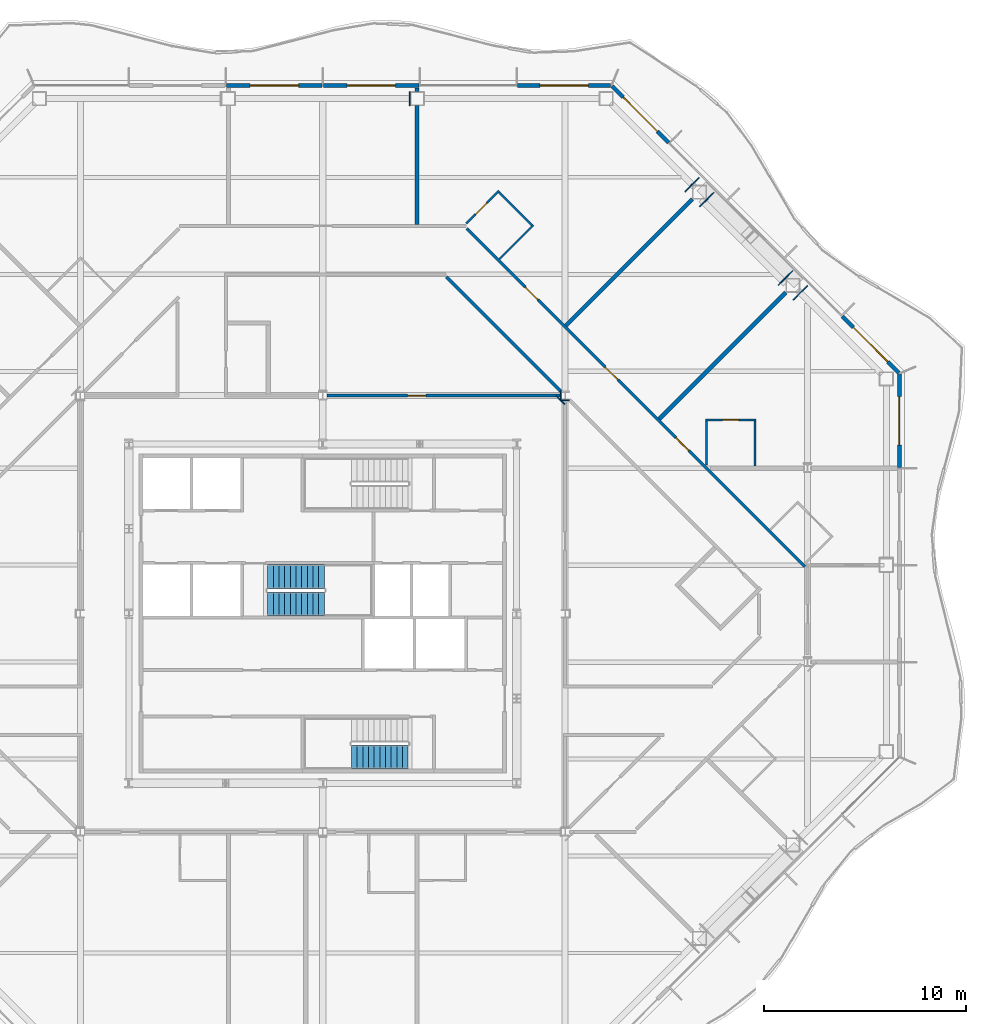
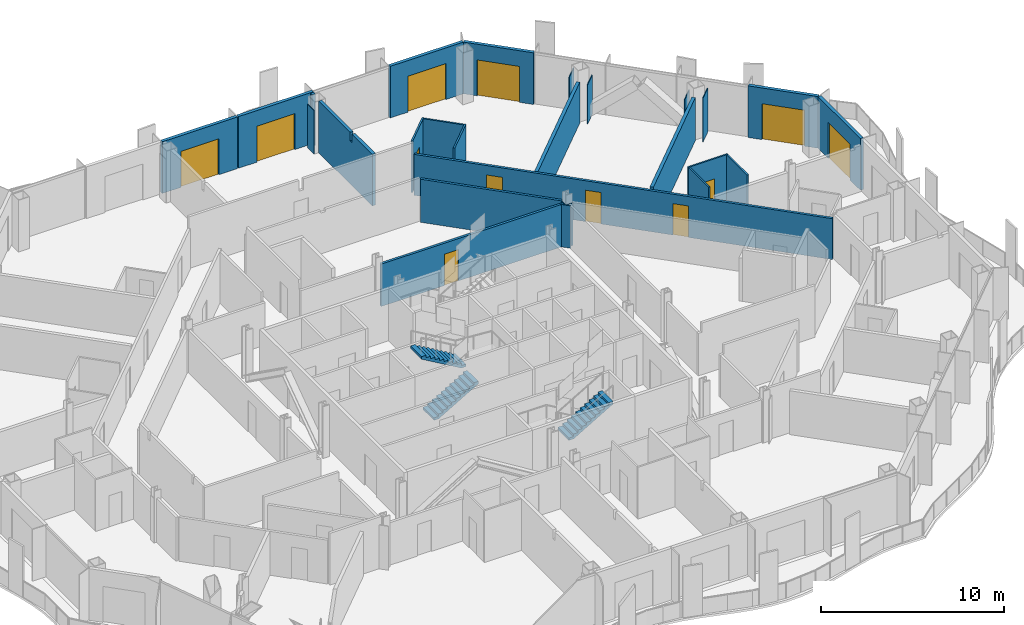
# One storey, part 13 of 21: 27 walls, 12 doors, 3 stair flights, 12 openings, 2 elements without a shape of their own.
"""IFC4 building model written with IfcOpenShell, lengths in metres."""

from ifc_helpers import new_model, si_unit, direction, frame, frame_2d, origin, place, context, subcontext, project, spatial, polyline, rectangle, outline, extrude, material, layer, layer_set, type_object, element, fill, aggregate, save


model = new_model("IFC4")

# Units and contexts
model_context = context("Model", 3, precision=1e-05, world=origin(), true_north=direction((0.0, 1.0)))
body_context = subcontext(model_context, "Body", "Model", "MODEL_VIEW")
ifc_project = project(units=[si_unit("LENGTHUNIT", "METRE"), si_unit("AREAUNIT", "SQUARE_METRE"), si_unit("VOLUMEUNIT", "CUBIC_METRE"), si_unit("PLANEANGLEUNIT", "RADIAN"), si_unit("MASSUNIT", "GRAM", prefix="KILO")], contexts=[model_context])

# Site, building, storey
site_placement = place(None, origin())
site = spatial("IfcSite", under=ifc_project, at=site_placement, CompositionType="ELEMENT")
building_placement = place(site_placement, origin())
building = spatial("IfcBuilding", under=site, at=building_placement, Name="Cairn Pilgrim Tower", CompositionType="ELEMENT")
storey_placement = place(building_placement, frame((0.0, 0.0, 132.60009765625)))
storey = spatial("IfcBuildingStorey", under=building, at=storey_placement, Name="L32", CompositionType="ELEMENT", Elevation=132.60009765625)

# Wall, opening, door
ifc_material_1 = material(Name="Bronze anodised aluminium insulated sandwich panel with mineral wool fill", Category="aluminium")
ifc_layer_1 = layer(ifc_material_1, 0.199951171875)
ifc_layer_set_1 = layer_set([ifc_layer_1], Name="BRONZE INFILL FRAME WALL 200")
wall_type_1 = type_object("IfcWallType", Name="BRONZE INFILL FRAME WALL 200", PredefinedType="NOTDEFINED", material=ifc_layer_set_1)
wall_1_placement = place(storey_placement, frame((35.75, 9.6298828125, 0.0), z_axis=(0.0, 0.0, 1.0), x_axis=(0.0, 1.0, 0.0)))
wall_1 = element("IfcWall", 1, at=wall_1_placement, inside=storey, type_object=wall_type_1, Name="Bronze infill frame wall IW-E4", PredefinedType="NOTDEFINED", context=body_context, shape_type="SweptSolid", body=[
    extrude(rectangle(XDim=4.62646484375, YDim=0.199951171875, at=frame_2d((2.313232421875, 0.0))), origin(), (0.0, 0.0, 1.0), 3.449951171875),
])
opening_1_placement = place(wall_1_placement, frame((1.117919921875, 0.0, 0.0)))
opening_1 = element("IfcOpeningElement", 2, at=opening_1_placement, cuts=wall_1, Name="Opening 3206B2", PredefinedType="OPENING", context=body_context, shape_type="SweptSolid", body=[
    extrude(rectangle(XDim=2.39990234375, YDim=2.39990234375, at=frame_2d((1.199951171875, 1.199951171875))), frame((0.0, 0.10986328125, 0.0), z_axis=(0.0, -1.0, 0.0), x_axis=(1.0, 0.0, 0.0)), (0.0, 0.0, 1.0), 0.219970703125),
])
ifc_material_2 = material(Name="Bronze anodised aluminium frame with tinted low-E glass", Category="aluminium")
door_type_1 = type_object("IfcDoorType", Name="BALCONY SLIDING DOOR 2400x2400", OperationType="DOUBLE_DOOR_SLIDING", PredefinedType="DOOR", material=ifc_material_2)
door_1_placement = place(opening_1_placement, origin())
door_1 = element("IfcDoor", 3, at=door_1_placement, inside=storey, type_object=door_type_1, Name="Balcony sliding door 3206B2", OperationType="SINGLE_SWING_LEFT", OverallHeight=2.39990234375, OverallWidth=2.39990234375, PredefinedType="DOOR", context=body_context, shape_type="SweptSolid", body=[
    extrude(rectangle(XDim=2.39990234375, YDim=2.39990234375, at=frame_2d((1.199951171875, 1.199951171875))), frame((0.0, 0.02490234375, 0.0), z_axis=(0.0, -1.0, 0.0), x_axis=(1.0, 0.0, 0.0)), (0.0, 0.0, 1.0), 0.050048828125),
])
fill(opening_1, door_1)

wall_2_placement = place(storey_placement, frame((35.7216796875, 14.32470703125, 0.0), z_axis=(0.0, 0.0, 1.0), x_axis=(-0.707106781187, 0.707106781187, 0.0)))
wall_2 = element("IfcWall", 4, at=wall_2_placement, inside=storey, type_object=wall_type_1, Name="Bronze infill frame wall IW-NE1", PredefinedType="NOTDEFINED", context=body_context, shape_type="SweptSolid", body=[
    extrude(rectangle(XDim=3.961669921875, YDim=0.199951171875, at=frame_2d((1.98095703125, 0.0))), origin(), (0.0, 0.0, 1.0), 3.449951171875),
])
opening_2_placement = place(wall_2_placement, frame((0.775390625, 0.0, 0.0)))
opening_2 = element("IfcOpeningElement", 5, at=opening_2_placement, cuts=wall_2, Name="Opening 3206B", PredefinedType="OPENING", context=body_context, shape_type="SweptSolid", body=[
    extrude(rectangle(XDim=2.39990234375, YDim=2.39990234375, at=frame_2d((1.199951171875, 1.199951171875))), frame((0.0, 0.10986328125, 0.0), z_axis=(0.0, -1.0, 0.0), x_axis=(1.0, 0.0, 0.0)), (0.0, 0.0, 1.0), 0.219970703125),
])
door_2_placement = place(opening_2_placement, origin())
door_2 = element("IfcDoor", 6, at=door_2_placement, inside=storey, type_object=door_type_1, Name="Balcony sliding door 3206B", OperationType="SINGLE_SWING_LEFT", OverallHeight=2.39990234375, OverallWidth=2.39990234375, PredefinedType="DOOR", context=body_context, shape_type="SweptSolid", body=[
    extrude(rectangle(XDim=2.39990234375, YDim=2.39990234375, at=frame_2d((1.199951171875, 1.199951171875))), frame((0.0, 0.02490234375, 0.0), z_axis=(0.0, -1.0, 0.0), x_axis=(1.0, 0.0, 0.0)), (0.0, 0.0, 1.0), 0.050048828125),
])
fill(opening_2, door_2)

wall_3_placement = place(storey_placement, frame((24.325927734375, 25.720458984375, 0.0), z_axis=(0.0, 0.0, 1.0), x_axis=(-0.707106781187, 0.707106781187, 0.0)))
wall_3 = element("IfcWall", 7, at=wall_3_placement, inside=storey, type_object=wall_type_1, Name="Bronze infill frame wall IW-NE5", PredefinedType="NOTDEFINED", context=body_context, shape_type="SweptSolid", body=[
    extrude(rectangle(XDim=3.961669921875, YDim=0.199951171875, at=frame_2d((1.98095703125, 0.0))), origin(), (0.0, 0.0, 1.0), 3.449951171875),
])
opening_3_placement = place(wall_3_placement, frame((0.78564453125, 0.0, 0.0)))
opening_3 = element("IfcOpeningElement", 8, at=opening_3_placement, cuts=wall_3, Name="Opening 3208B", PredefinedType="OPENING", context=body_context, shape_type="SweptSolid", body=[
    extrude(rectangle(XDim=2.39990234375, YDim=2.39990234375, at=frame_2d((1.199951171875, 1.199951171875))), frame((0.0, 0.10986328125, 0.0), z_axis=(0.0, -1.0, 0.0), x_axis=(1.0, 0.0, 0.0)), (0.0, 0.0, 1.0), 0.219970703125),
])
door_3_placement = place(opening_3_placement, origin())
door_3 = element("IfcDoor", 9, at=door_3_placement, inside=storey, type_object=door_type_1, Name="Balcony sliding door 3208B", OperationType="SINGLE_SWING_LEFT", OverallHeight=2.39990234375, OverallWidth=2.39990234375, PredefinedType="DOOR", context=body_context, shape_type="SweptSolid", body=[
    extrude(rectangle(XDim=2.39990234375, YDim=2.39990234375, at=frame_2d((1.199951171875, 1.199951171875))), frame((0.0, 0.02490234375, 0.0), z_axis=(0.0, -1.0, 0.0), x_axis=(1.0, 0.0, 0.0)), (0.0, 0.0, 1.0), 0.050048828125),
])
fill(opening_3, door_3)

wall_4_placement = place(storey_placement, frame((21.45654296875, 28.550048828125, 0.0), z_axis=(0.0, 0.0, 1.0), x_axis=(-1.0, 0.0, 0.0)))
wall_4 = element("IfcWall", 10, at=wall_4_placement, inside=storey, type_object=wall_type_1, Name="Bronze infill frame wall IW-N1", PredefinedType="NOTDEFINED", context=body_context, shape_type="SweptSolid", body=[
    extrude(rectangle(XDim=4.62646484375, YDim=0.199951171875, at=frame_2d((2.313232421875, 0.0))), origin(), (0.0, 0.0, 1.0), 3.449951171875),
])
opening_4_placement = place(wall_4_placement, frame((1.1083984375, 0.0, 0.0)))
opening_4 = element("IfcOpeningElement", 11, at=opening_4_placement, cuts=wall_4, Name="Opening 3208B2", PredefinedType="OPENING", context=body_context, shape_type="SweptSolid", body=[
    extrude(rectangle(XDim=2.39990234375, YDim=2.39990234375, at=frame_2d((1.199951171875, 1.199951171875))), frame((0.0, 0.10986328125, 0.0), z_axis=(0.0, -1.0, 0.0), x_axis=(1.0, 0.0, 0.0)), (0.0, 0.0, 1.0), 0.219970703125),
])
door_4_placement = place(opening_4_placement, origin())
door_4 = element("IfcDoor", 12, at=door_4_placement, inside=storey, type_object=door_type_1, Name="Balcony sliding door 3208B2", OperationType="SINGLE_SWING_LEFT", OverallHeight=2.39990234375, OverallWidth=2.39990234375, PredefinedType="DOOR", context=body_context, shape_type="SweptSolid", body=[
    extrude(rectangle(XDim=2.39990234375, YDim=2.39990234375, at=frame_2d((1.199951171875, 1.199951171875))), frame((0.0, 0.02490234375, 0.0), z_axis=(0.0, -1.0, 0.0), x_axis=(1.0, 0.0, 0.0)), (0.0, 0.0, 1.0), 0.050048828125),
])
fill(opening_4, door_4)

wall_5_placement = place(storey_placement, frame((11.969970703125, 28.550048828125, 0.0), z_axis=(0.0, 0.0, 1.0), x_axis=(-1.0, 0.0, 0.0)))
wall_5 = element("IfcWall", 13, at=wall_5_placement, inside=storey, type_object=wall_type_1, Name="Bronze infill frame wall IW-N3", PredefinedType="NOTDEFINED", context=body_context, shape_type="SweptSolid", body=[
    extrude(rectangle(XDim=4.739990234375, YDim=0.199951171875, at=frame_2d((2.3701171875, 0.0))), origin(), (0.0, 0.0, 1.0), 3.449951171875),
])
opening_5_placement = place(wall_5_placement, frame((1.17041015625, 0.0, 0.0)))
opening_5 = element("IfcOpeningElement", 14, at=opening_5_placement, cuts=wall_5, Name="Opening 3209B", PredefinedType="OPENING", context=body_context, shape_type="SweptSolid", body=[
    extrude(rectangle(XDim=2.39990234375, YDim=2.39990234375, at=frame_2d((1.199951171875, 1.199951171875))), frame((0.0, 0.10986328125, 0.0), z_axis=(0.0, -1.0, 0.0), x_axis=(1.0, 0.0, 0.0)), (0.0, 0.0, 1.0), 0.219970703125),
])
door_5_placement = place(opening_5_placement, origin())
door_5 = element("IfcDoor", 15, at=door_5_placement, inside=storey, type_object=door_type_1, Name="Balcony sliding door 3209B", OperationType="SINGLE_SWING_LEFT", OverallHeight=2.39990234375, OverallWidth=2.39990234375, PredefinedType="DOOR", context=body_context, shape_type="SweptSolid", body=[
    extrude(rectangle(XDim=2.39990234375, YDim=2.39990234375, at=frame_2d((1.199951171875, 1.199951171875))), frame((0.0, 0.02490234375, 0.0), z_axis=(0.0, -1.0, 0.0), x_axis=(1.0, 0.0, 0.0)), (0.0, 0.0, 1.0), 0.050048828125),
])
fill(opening_5, door_5)

wall_6_placement = place(storey_placement, frame((7.169921875, 28.550048828125, 0.0), z_axis=(0.0, 0.0, 1.0), x_axis=(-1.0, 0.0, 0.0)))
wall_6 = element("IfcWall", 16, at=wall_6_placement, inside=storey, type_object=wall_type_1, Name="Bronze infill frame wall IW-N4", PredefinedType="NOTDEFINED", context=body_context, shape_type="SweptSolid", body=[
    extrude(rectangle(XDim=4.739990234375, YDim=0.199951171875, at=frame_2d((2.3701171875, 0.0))), origin(), (0.0, 0.0, 1.0), 3.449951171875),
])
opening_6_placement = place(wall_6_placement, frame((1.17041015625, 0.0, 0.0)))
opening_6 = element("IfcOpeningElement", 17, at=opening_6_placement, cuts=wall_6, Name="Opening 3209B2", PredefinedType="OPENING", context=body_context, shape_type="SweptSolid", body=[
    extrude(rectangle(XDim=2.39990234375, YDim=2.39990234375, at=frame_2d((1.199951171875, 1.199951171875))), frame((0.0, 0.10986328125, 0.0), z_axis=(0.0, -1.0, 0.0), x_axis=(1.0, 0.0, 0.0)), (0.0, 0.0, 1.0), 0.219970703125),
])
door_6_placement = place(opening_6_placement, origin())
door_6 = element("IfcDoor", 18, at=door_6_placement, inside=storey, type_object=door_type_1, Name="Balcony sliding door 3209B2", OperationType="SINGLE_SWING_LEFT", OverallHeight=2.39990234375, OverallWidth=2.39990234375, PredefinedType="DOOR", context=body_context, shape_type="SweptSolid", body=[
    extrude(rectangle(XDim=2.39990234375, YDim=2.39990234375, at=frame_2d((1.199951171875, 1.199951171875))), frame((0.0, 0.02490234375, 0.0), z_axis=(0.0, -1.0, 0.0), x_axis=(1.0, 0.0, 0.0)), (0.0, 0.0, 1.0), 0.050048828125),
])
fill(opening_6, door_6)

# Walls
ifc_material_3 = material(Name="Gypsum partition")
ifc_layer_2 = layer(ifc_material_3, 0.10009765625)
ifc_layer_set_2 = layer_set([ifc_layer_2], Name="PARTITION 100 DRYWALL")
wall_type_2 = type_object("IfcWallType", Name="PARTITION 100 DRYWALL", PredefinedType="PARTITIONING", material=ifc_layer_set_2)
wall_7_placement = place(storey_placement, frame((28.593994140625, 9.699951171875, 0.0), z_axis=(0.0, 0.0, 1.0), x_axis=(0.0, 1.0, 0.0)))
element("IfcWall", 19, at=wall_7_placement, inside=storey, type_object=wall_type_2, Name="PARTITION W067", PredefinedType="PARTITIONING", context=body_context, shape_type="SweptSolid", body=[
    extrude(outline(polyline([(0.0, 0.0), (2.25, 0.0), (2.25, 3.449951171875), (0.0048828125, 3.449951171875), (0.0029296875, 2.8798828125), (0.0, 2.8798828125), (0.0, 0.0)])), frame((0.0, 0.050048828125, 0.0), z_axis=(0.0, -1.0, 0.0), x_axis=(1.0, 0.0, 0.0)), (0.0, 0.0, 1.0), 0.10009765625),
])
wall_8_placement = place(storey_placement, frame((26.194091796875, 9.756103515625, 0.0), z_axis=(0.0, 0.0, 1.0), x_axis=(0.0, 1.0, 0.0)))
element("IfcWall", 20, at=wall_8_placement, inside=storey, type_object=wall_type_2, Name="PARTITION W068", PredefinedType="PARTITIONING", context=body_context, shape_type="SweptSolid", body=[
    extrude(rectangle(XDim=2.19384765625, YDim=0.10009765625, at=frame_2d((1.096923828125, 0.0))), origin(), (0.0, 0.0, 1.0), 3.449951171875),
])

# Wall, opening, door
wall_9_placement = place(storey_placement, frame((26.14404296875, 12.0, 0.0), z_axis=(0.0, 0.0, 1.0), x_axis=(1.0, 0.0, 0.0)))
wall_9 = element("IfcWall", 21, at=wall_9_placement, inside=storey, type_object=wall_type_2, Name="PARTITION W072", PredefinedType="PARTITIONING", context=body_context, shape_type="SweptSolid", body=[
    extrude(rectangle(XDim=2.5, YDim=0.10009765625, at=frame_2d((1.25, 0.0))), origin(), (0.0, 0.0, 1.0), 3.449951171875),
])
opening_7_placement = place(wall_9_placement, frame((0.85009765625, 0.0, 0.0)))
opening_7 = element("IfcOpeningElement", 22, at=opening_7_placement, cuts=wall_9, Name="Opening 3206A", PredefinedType="OPENING", context=body_context, shape_type="SweptSolid", body=[
    extrude(rectangle(XDim=0.800048828125, YDim=2.10009765625, at=frame_2d((0.39990234375, 1.050048828125))), frame((0.0, 0.06005859375, 0.0), z_axis=(0.0, -1.0, 0.0), x_axis=(1.0, 0.0, 0.0)), (0.0, 0.0, 1.0), 0.1201171875),
])
ifc_material_4 = material(Name="Timber door leaf", Category="wood")
door_type_2 = type_object("IfcDoorType", Name="WC DOOR 800x2100", OperationType="NOTDEFINED", PredefinedType="DOOR", material=ifc_material_4)
door_7_placement = place(opening_7_placement, origin())
door_7 = element("IfcDoor", 23, at=door_7_placement, inside=storey, type_object=door_type_2, Name="DOOR 3206A", OperationType="SINGLE_SWING_LEFT", OverallHeight=2.10009765625, OverallWidth=0.800048828125, PredefinedType="DOOR", context=body_context, shape_type="SweptSolid", body=[
    extrude(rectangle(XDim=0.800048828125, YDim=2.10009765625, at=frame_2d((0.39990234375, 1.050048828125))), frame((0.0, 0.02490234375, 0.0), z_axis=(0.0, -1.0, 0.0), x_axis=(1.0, 0.0, 0.0)), (0.0, 0.0, 1.0), 0.050048828125),
])
fill(opening_7, door_7)

# Walls
wall_10_placement = place(storey_placement, frame((15.944091796875, 19.9560546875, 0.0), z_axis=(0.0, 0.0, 1.0), x_axis=(0.707106781187, 0.707106781187, 0.0)))
element("IfcWall", 24, at=wall_10_placement, inside=storey, type_object=wall_type_2, Name="PARTITION W089", PredefinedType="PARTITIONING", context=body_context, shape_type="SweptSolid", body=[
    extrude(rectangle(XDim=2.374755859375, YDim=0.10009765625, at=frame_2d((1.1875, 0.0))), origin(), (0.0, 0.0, 1.0), 3.449951171875),
])
wall_11_placement = place(storey_placement, frame((17.552490234375, 21.635498046875, 0.0), z_axis=(0.0, 0.0, 1.0), x_axis=(-0.707053697085, 0.707159861304, 0.0)))
element("IfcWall", 25, at=wall_11_placement, inside=storey, type_object=wall_type_2, Name="PARTITION W091", PredefinedType="PARTITIONING", context=body_context, shape_type="SweptSolid", body=[
    extrude(rectangle(XDim=2.299560546875, YDim=0.10009765625, at=frame_2d((1.14990234375, 0.0))), origin(), (0.0, 0.0, 1.0), 3.449951171875),
])

# Wall, opening, door
wall_12_placement = place(storey_placement, frame((14.304443359375, 21.71044921875, 0.0), z_axis=(0.0, 0.0, 1.0), x_axis=(0.707106781187, 0.707106781187, 0.0)))
wall_12 = element("IfcWall", 26, at=wall_12_placement, inside=storey, type_object=wall_type_2, Name="PARTITION W094", PredefinedType="PARTITIONING", context=body_context, shape_type="SweptSolid", body=[
    extrude(rectangle(XDim=2.2939453125, YDim=0.10009765625, at=frame_2d((1.14697265625, 0.0))), origin(), (0.0, 0.0, 1.0), 3.449951171875),
])
opening_8_placement = place(wall_12_placement, frame((0.643798828125, 0.0, 0.0)))
opening_8 = element("IfcOpeningElement", 27, at=opening_8_placement, cuts=wall_12, Name="Opening 3208A", PredefinedType="OPENING", context=body_context, shape_type="SweptSolid", body=[
    extrude(rectangle(XDim=0.800048828125, YDim=2.10009765625, at=frame_2d((0.39990234375, 1.050048828125))), frame((0.0, 0.06005859375, 0.0), z_axis=(0.0, -1.0, 0.0), x_axis=(1.0, 0.0, 0.0)), (0.0, 0.0, 1.0), 0.1201171875),
])
door_8_placement = place(opening_8_placement, origin())
door_8 = element("IfcDoor", 28, at=door_8_placement, inside=storey, type_object=door_type_2, Name="DOOR 3208A", OperationType="SINGLE_SWING_LEFT", OverallHeight=2.10009765625, OverallWidth=0.800048828125, PredefinedType="DOOR", context=body_context, shape_type="SweptSolid", body=[
    extrude(rectangle(XDim=0.800048828125, YDim=2.10009765625, at=frame_2d((0.39990234375, 1.050048828125))), frame((0.0, 0.02490234375, 0.0), z_axis=(0.0, -1.0, 0.0), x_axis=(1.0, 0.0, 0.0)), (0.0, 0.0, 1.0), 0.050048828125),
])
fill(opening_8, door_8)

# Wall, openings, doors
ifc_layer_3 = layer(ifc_material_3, 0.14990234375)
ifc_layer_set_3 = layer_set([ifc_layer_3], Name="PARTITION 150 DRYWALL EI 60")
wall_type_3 = type_object("IfcWallType", Name="PARTITION 150 DRYWALL EI 60", PredefinedType="PARTITIONING", material=ifc_layer_set_3)
wall_13_placement = place(storey_placement, frame((31.072021484375, 4.721923828125, 0.0), z_axis=(0.0, 0.0, 1.0), x_axis=(-0.707106781187, 0.707106781187, 0.0)))
wall_13 = element("IfcWall", 29, at=wall_13_placement, inside=storey, type_object=wall_type_3, Name="PARTITION W050", PredefinedType="PARTITIONING", context=body_context, shape_type="SweptSolid", body=[
    extrude(rectangle(XDim=23.68798828125, YDim=0.14990234375, at=frame_2d((11.843994140625, 0.0))), origin(), (0.0, 0.0, 1.0), 2.72998046875),
])
opening_9_placement = place(wall_13_placement, frame((8.135498046875, 0.0, 0.0)))
opening_9 = element("IfcOpeningElement", 30, at=opening_9_placement, cuts=wall_13, Name="Opening 3206", PredefinedType="OPENING", context=body_context, shape_type="SweptSolid", body=[
    extrude(rectangle(XDim=0.89990234375, YDim=2.10009765625, at=frame_2d((0.449951171875, 1.050048828125))), frame((0.0, 0.0849609375, 0.0), z_axis=(0.0, -1.0, 0.0), x_axis=(1.0, 0.0, 0.0)), (0.0, 0.0, 1.0), 0.169921875),
])
opening_10_placement = place(wall_13_placement, frame((13.0908203125, 0.0, 0.0)))
opening_10 = element("IfcOpeningElement", 31, at=opening_10_placement, cuts=wall_13, Name="Opening 3207", PredefinedType="OPENING", context=body_context, shape_type="SweptSolid", body=[
    extrude(rectangle(XDim=0.89990234375, YDim=2.10009765625, at=frame_2d((0.449951171875, 1.050048828125))), frame((0.0, 0.0849609375, 0.0), z_axis=(0.0, -1.0, 0.0), x_axis=(1.0, 0.0, 0.0)), (0.0, 0.0, 1.0), 0.169921875),
])
opening_11_placement = place(wall_13_placement, frame((18.690185546875, 0.0, 0.0)))
opening_11 = element("IfcOpeningElement", 32, at=opening_11_placement, cuts=wall_13, Name="Opening 3208", PredefinedType="OPENING", context=body_context, shape_type="SweptSolid", body=[
    extrude(rectangle(XDim=0.89990234375, YDim=2.10009765625, at=frame_2d((0.449951171875, 1.050048828125))), frame((0.0, 0.0849609375, 0.0), z_axis=(0.0, -1.0, 0.0), x_axis=(1.0, 0.0, 0.0)), (0.0, 0.0, 1.0), 0.169921875),
])
door_type_3 = type_object("IfcDoorType", Name="ROOM DOOR 900x2100 FD30S", OperationType="NOTDEFINED", PredefinedType="DOOR", material=ifc_material_4)
door_9_placement = place(opening_9_placement, frame((0.89990234375, 0.0, 0.0), z_axis=(0.0, 0.0, 1.0), x_axis=(-1.0, 0.0, 0.0)))
door_9 = element("IfcDoor", 33, at=door_9_placement, inside=storey, type_object=door_type_3, Name="DOOR 3206", OperationType="SINGLE_SWING_LEFT", OverallHeight=2.10009765625, OverallWidth=0.89990234375, PredefinedType="DOOR", context=body_context, shape_type="SweptSolid", body=[
    extrude(rectangle(XDim=0.89990234375, YDim=2.10009765625, at=frame_2d((0.449951171875, 1.050048828125))), frame((0.0, 0.02490234375, 0.0), z_axis=(0.0, -1.0, 0.0), x_axis=(1.0, 0.0, 0.0)), (0.0, 0.0, 1.0), 0.050048828125),
])
fill(opening_9, door_9)
door_10_placement = place(opening_11_placement, frame((0.89990234375, 0.0, 0.0), z_axis=(0.0, 0.0, 1.0), x_axis=(-1.0, 0.0, 0.0)))
door_10 = element("IfcDoor", 34, at=door_10_placement, inside=storey, type_object=door_type_3, Name="DOOR 3208", OperationType="SINGLE_SWING_LEFT", OverallHeight=2.10009765625, OverallWidth=0.89990234375, PredefinedType="DOOR", context=body_context, shape_type="SweptSolid", body=[
    extrude(rectangle(XDim=0.89990234375, YDim=2.10009765625, at=frame_2d((0.449951171875, 1.050048828125))), frame((0.0, 0.02490234375, 0.0), z_axis=(0.0, -1.0, 0.0), x_axis=(1.0, 0.0, 0.0)), (0.0, 0.0, 1.0), 0.050048828125),
])
fill(opening_11, door_10)
door_type_4 = type_object("IfcDoorType", Name="SERVICE DOOR 900x2100 FD30S", OperationType="NOTDEFINED", PredefinedType="DOOR", material=ifc_material_4)
door_11_placement = place(opening_10_placement, frame((0.89990234375, 0.0, 0.0), z_axis=(0.0, 0.0, 1.0), x_axis=(-1.0, 0.0, 0.0)))
door_11 = element("IfcDoor", 35, at=door_11_placement, inside=storey, type_object=door_type_4, Name="DOOR 3207", OperationType="SINGLE_SWING_LEFT", OverallHeight=2.10009765625, OverallWidth=0.89990234375, PredefinedType="DOOR", context=body_context, shape_type="SweptSolid", body=[
    extrude(rectangle(XDim=0.89990234375, YDim=2.10009765625, at=frame_2d((0.449951171875, 1.050048828125))), frame((0.0, 0.02490234375, 0.0), z_axis=(0.0, -1.0, 0.0), x_axis=(1.0, 0.0, 0.0)), (0.0, 0.0, 1.0), 0.050048828125),
])
fill(opening_10, door_11)

# Wall, opening, door
wall_14_placement = place(storey_placement, frame((7.404541015625, 13.199951171875, 0.0), z_axis=(0.0, 0.0, 1.0), x_axis=(1.0, 0.0, 0.0)))
wall_14 = element("IfcWall", 36, at=wall_14_placement, inside=storey, type_object=wall_type_3, Name="PARTITION W076", PredefinedType="PARTITIONING", context=body_context, shape_type="SweptSolid", body=[
    extrude(rectangle(XDim=11.591064453125, YDim=0.14990234375, at=frame_2d((5.79541015625, 0.0))), origin(), (0.0, 0.0, 1.0), 2.829833984375),
])
opening_12_placement = place(wall_14_placement, frame((3.99560546875, 0.0, 0.0)))
opening_12 = element("IfcOpeningElement", 37, at=opening_12_placement, cuts=wall_14, Name="Opening 3222", PredefinedType="OPENING", context=body_context, shape_type="SweptSolid", body=[
    extrude(rectangle(XDim=0.89990234375, YDim=2.10009765625, at=frame_2d((0.449951171875, 1.050048828125))), frame((0.0, 0.0849609375, 0.0), z_axis=(0.0, -1.0, 0.0), x_axis=(1.0, 0.0, 0.0)), (0.0, 0.0, 1.0), 0.169921875),
])
door_12_placement = place(opening_12_placement, origin())
door_12 = element("IfcDoor", 38, at=door_12_placement, inside=storey, type_object=door_type_4, Name="DOOR 3222", OperationType="SINGLE_SWING_LEFT", OverallHeight=2.10009765625, OverallWidth=0.89990234375, PredefinedType="DOOR", context=body_context, shape_type="SweptSolid", body=[
    extrude(rectangle(XDim=0.89990234375, YDim=2.10009765625, at=frame_2d((0.449951171875, 1.050048828125))), frame((0.0, 0.02490234375, 0.0), z_axis=(0.0, -1.0, 0.0), x_axis=(1.0, 0.0, 0.0)), (0.0, 0.0, 1.0), 0.050048828125),
])
fill(opening_12, door_12)

# Walls
wall_15_placement = place(storey_placement, frame((18.991455078125, 13.408447265625, 0.0), z_axis=(0.0, 0.0, 1.0), x_axis=(-0.707106781187, 0.707106781187, 0.0)))
element("IfcWall", 39, at=wall_15_placement, inside=storey, type_object=wall_type_3, Name="PARTITION W081", PredefinedType="PARTITIONING", context=body_context, shape_type="SweptSolid", body=[
    extrude(rectangle(XDim=8.009521484375, YDim=0.14990234375, at=frame_2d((4.0048828125, 0.0))), origin(), (0.0, 0.0, 1.0), 2.8798828125),
])
ifc_layer_4 = layer(ifc_material_3, 0.050048828125)
ifc_layer_set_4 = layer_set([ifc_layer_4], Name="PARTITION 50 DRYWALL EI 60")
wall_type_4 = type_object("IfcWallType", Name="PARTITION 50 DRYWALL EI 60", PredefinedType="PARTITIONING", material=ifc_layer_set_4)
wall_16_placement = place(storey_placement, frame((18.970458984375, 12.987548828125, 0.0), z_axis=(0.0, 0.0, 1.0), x_axis=(0.0, 1.0, 0.0)))
element("IfcWall", 40, at=wall_16_placement, inside=storey, type_object=wall_type_4, Name="COLUMN CASING WC22", PredefinedType="PARTITIONING", context=body_context, shape_type="SweptSolid", body=[
    extrude(rectangle(XDim=0.425048828125, YDim=0.050048828125, at=frame_2d((0.21240234375, 0.0))), origin(), (0.0, 0.0, 1.0), 2.829833984375),
])
wall_17_placement = place(storey_placement, frame((19.182373046875, 12.765380859375, 0.0), z_axis=(0.0, 0.0, 1.0), x_axis=(-0.707106781187, 0.707106781187, 0.0)))
element("IfcWall", 41, at=wall_17_placement, inside=storey, type_object=wall_type_4, Name="COLUMN CASING WC24", PredefinedType="PARTITIONING", context=body_context, shape_type="SweptSolid", body=[
    extrude(rectangle(XDim=0.589599609375, YDim=0.050048828125, at=frame_2d((0.294921875, 0.0))), origin(), (0.0, 0.0, 1.0), 2.829833984375),
])
wall_18_placement = place(storey_placement, frame((29.758056640625, 18.669189453125, 0.0), z_axis=(0.0, 0.0, 1.0), x_axis=(0.707106781187, 0.707106781187, 0.0)))
element("IfcWall", 42, at=wall_18_placement, inside=storey, type_object=wall_type_4, Name="COLUMN CASING WC30", PredefinedType="PARTITIONING", context=body_context, shape_type="SweptSolid", body=[
    extrude(rectangle(XDim=0.989990234375, YDim=0.050048828125, at=frame_2d((0.4951171875, 0.0))), origin(), (0.0, 0.0, 1.0), 2.6298828125),
])
wall_19_placement = place(storey_placement, frame((30.493408203125, 17.933837890625, 0.0), z_axis=(0.0, 0.0, 1.0), x_axis=(0.707106781187, 0.707106781187, 0.0)))
element("IfcWall", 43, at=wall_19_placement, inside=storey, type_object=wall_type_4, Name="COLUMN CASING WC31", PredefinedType="PARTITIONING", context=body_context, shape_type="SweptSolid", body=[
    extrude(rectangle(XDim=0.989990234375, YDim=0.050048828125, at=frame_2d((0.4951171875, 0.0))), origin(), (0.0, 0.0, 1.0), 2.929931640625),
])
wall_20_placement = place(storey_placement, frame((18.99560546875, 12.96240234375, 0.0), z_axis=(0.0, 0.0, 1.0), x_axis=(1.0, 0.0, 0.0)))
element("IfcWall", 44, at=wall_20_placement, inside=storey, type_object=wall_type_4, Name="COLUMN CASING WC35", PredefinedType="PARTITIONING", context=body_context, shape_type="SweptSolid", body=[
    extrude(rectangle(XDim=0.408935546875, YDim=0.050048828125, at=frame_2d((0.20458984375, 0.0))), origin(), (0.0, 0.0, 1.0), 2.829833984375),
])
wall_21_placement = place(storey_placement, frame((25.1337890625, 23.29345703125, 0.0), z_axis=(0.0, 0.0, 1.0), x_axis=(0.707106781187, 0.707106781187, 0.0)))
element("IfcWall", 45, at=wall_21_placement, inside=storey, type_object=wall_type_4, Name="COLUMN CASING WC38", PredefinedType="PARTITIONING", context=body_context, shape_type="SweptSolid", body=[
    extrude(rectangle(XDim=0.989990234375, YDim=0.050048828125, at=frame_2d((0.4951171875, 0.0))), origin(), (0.0, 0.0, 1.0), 2.929931640625),
])
wall_22_placement = place(storey_placement, frame((25.869140625, 22.55810546875, 0.0), z_axis=(0.0, 0.0, 1.0), x_axis=(0.707106781187, 0.707106781187, 0.0)))
element("IfcWall", 46, at=wall_22_placement, inside=storey, type_object=wall_type_4, Name="COLUMN CASING WC39", PredefinedType="PARTITIONING", context=body_context, shape_type="SweptSolid", body=[
    extrude(rectangle(XDim=0.989990234375, YDim=0.050048828125, at=frame_2d((0.4951171875, 0.0))), origin(), (0.0, 0.0, 1.0), 2.6298828125),
])
wall_23_placement = place(storey_placement, frame((11.500732421875, 27.550048828125, 0.0), z_axis=(0.0, 0.0, 1.0), x_axis=(0.0, 1.0, 0.0)))
element("IfcWall", 47, at=wall_23_placement, inside=storey, type_object=wall_type_4, Name="COLUMN CASING WC41", PredefinedType="PARTITIONING", context=body_context, shape_type="SweptSolid", body=[
    extrude(rectangle(XDim=0.699951171875, YDim=0.050048828125, at=frame_2d((0.35009765625, 0.0))), origin(), (0.0, 0.0, 1.0), 2.929931640625),
])
ifc_layer_5 = layer(ifc_material_3, 0.199951171875)
ifc_layer_set_5 = layer_set([ifc_layer_5], Name="SHAFT WALL 200 GYPSUM EI 60")
wall_type_5 = type_object("IfcWallType", Name="SHAFT WALL 200 GYPSUM EI 60", PredefinedType="PARTITIONING", material=ifc_layer_set_5)
wall_24_placement = place(storey_placement, frame((23.862060546875, 12.0380859375, 0.0), z_axis=(0.0, 0.0, 1.0), x_axis=(0.707106781187, 0.707106781187, 0.0)))
element("IfcWall", 48, at=wall_24_placement, inside=storey, type_object=wall_type_5, Name="PARTITION W071", PredefinedType="PARTITIONING", context=body_context, shape_type="SweptSolid", body=[
    extrude(rectangle(XDim=8.85791015625, YDim=0.199951171875, at=frame_2d((4.428955078125, 0.0))), origin(), (0.0, 0.0, 1.0), 2.8798828125),
])
wall_25_placement = place(storey_placement, frame((19.238037109375, 16.662109375, 0.0), z_axis=(0.0, 0.0, 1.0), x_axis=(0.707120561855, 0.707093000249, 0.0)))
element("IfcWall", 49, at=wall_25_placement, inside=storey, type_object=wall_type_5, Name="PARTITION W083", PredefinedType="PARTITIONING", context=body_context, shape_type="SweptSolid", body=[
    extrude(rectangle(XDim=8.85791015625, YDim=0.199951171875, at=frame_2d((4.428955078125, 0.0))), origin(), (0.0, 0.0, 1.0), 2.72998046875),
])
wall_26_placement = place(storey_placement, frame((11.8759765625, 21.675048828125, 0.0), z_axis=(0.0, 0.0, 1.0), x_axis=(0.0, 1.0, 0.0)))
element("IfcWall", 50, at=wall_26_placement, inside=storey, type_object=wall_type_5, Name="PARTITION W093", PredefinedType="PARTITIONING", context=body_context, shape_type="SweptSolid", body=[
    extrude(outline(polyline([(0.0, 0.0), (5.875, 0.0), (5.875, 3.449951171875), (2.429931640625, 3.449951171875), (2.427978515625, 2.8798828125), (2.219970703125, 2.8798828125), (2.218017578125, 3.449951171875), (0.0, 3.449951171875), (0.0, 0.0)])), frame((0.0, 0.10009765625, 0.0), z_axis=(0.0, -1.0, 0.0), x_axis=(1.0, 0.0, 0.0)), (0.0, 0.0, 1.0), 0.199951171875),
])
wall_27_placement = place(storey_placement, frame((11.8759765625, 28.25, 0.0), z_axis=(0.0, 0.0, 1.0), x_axis=(0.0, 1.0, 0.0)))
element("IfcWall", 51, at=wall_27_placement, inside=storey, type_object=wall_type_5, Name="PARTITION W096", PredefinedType="PARTITIONING", context=body_context, shape_type="SweptSolid", body=[
    extrude(rectangle(XDim=0.169921875, YDim=0.199951171875, at=frame_2d((0.0849609375, 0.0))), origin(), (0.0, 0.0, 1.0), 3.449951171875),
])

# Stair, stair flight
ifc_material_5 = material(Name="Concrete C32/40", Category="concrete")
stair_type = type_object("IfcStairType", Name="EXIT STAIR 1200", PredefinedType="HALF_TURN_STAIR", material=ifc_material_5)
stair_1_placement = place(storey_placement, origin())
stair_1 = element("IfcStair", 52, at=stair_1_placement, inside=storey, type_object=stair_type, Name="L32 Exit Stair A", PredefinedType="HALF_TURN_STAIR")
stair_flight_type = type_object("IfcStairFlightType", Name="STAIR FLIGHT 1200", PredefinedType="STRAIGHT", material=ifc_material_5)
stair_flight_1_placement = place(storey_placement, frame((8.625, -4.699951171875, 1.7998046875), z_axis=(0.0, 0.0, 1.0), x_axis=(1.0, 0.0, 0.0)))
stair_flight_1 = element("IfcStairFlight", 53, at=stair_flight_1_placement, type_object=stair_flight_type, Name="ST-A flight 2", NumberOfRisers=11, NumberOfTreads=10, PredefinedType="STRAIGHT", RiserHeight=0.163636364, TreadLength=0.28, context=body_context, shape_type="SweptSolid", body=[
    extrude(outline(polyline([(0.0, 0.0), (0.0, 0.16357421875), (0.280029296875, 0.16357421875), (0.280029296875, 0.327392578125), (0.56005859375, 0.327392578125), (0.56005859375, 0.490966796875), (0.840087890625, 0.490966796875), (0.840087890625, 0.654541015625), (1.1201171875, 0.654541015625), (1.1201171875, 0.818115234375), (1.39990234375, 0.818115234375), (1.39990234375, 0.98193359375), (1.679931640625, 0.98193359375), (1.679931640625, 1.1455078125), (1.9599609375, 1.1455078125), (1.9599609375, 1.30908203125), (2.239990234375, 1.30908203125), (2.239990234375, 1.47265625), (2.52001953125, 1.47265625), (2.52001953125, 1.636474609375), (2.800048828125, 1.636474609375), (2.800048828125, 1.800048828125), (2.800048828125, 1.462646484375), (0.297119140625, 0.0), (0.0, 0.0)])), frame((0.0, 0.60009765625, 0.0), z_axis=(0.0, -1.0, 0.0), x_axis=(1.0, 0.0, 0.0)), (0.0, 0.0, 1.0), 1.199951171875),
])
aggregate(stair_1, [stair_flight_1])

# Stair, stair flights
stair_2_placement = place(storey_placement, origin())
stair_2 = element("IfcStair", 54, at=stair_2_placement, inside=storey, type_object=stair_type, Name="L32 Exit Stair B", PredefinedType="HALF_TURN_STAIR")
stair_flight_2_placement = place(storey_placement, frame((4.47509765625, 2.875, 0.0), z_axis=(0.0, 0.0, 1.0), x_axis=(1.0, 0.0, 0.0)))
stair_flight_2 = element("IfcStairFlight", 55, at=stair_flight_2_placement, type_object=stair_flight_type, Name="ST-B flight 1", NumberOfRisers=11, NumberOfTreads=10, PredefinedType="STRAIGHT", RiserHeight=0.163636364, TreadLength=0.28, context=body_context, shape_type="SweptSolid", body=[
    extrude(outline(polyline([(0.0, 0.0), (0.0, 0.16357421875), (0.280029296875, 0.16357421875), (0.280029296875, 0.327392578125), (0.56005859375, 0.327392578125), (0.56005859375, 0.490966796875), (0.840087890625, 0.490966796875), (0.840087890625, 0.654541015625), (1.1201171875, 0.654541015625), (1.1201171875, 0.818115234375), (1.39990234375, 0.818115234375), (1.39990234375, 0.98193359375), (1.679931640625, 0.98193359375), (1.679931640625, 1.1455078125), (1.9599609375, 1.1455078125), (1.9599609375, 1.30908203125), (2.239990234375, 1.30908203125), (2.239990234375, 1.47265625), (2.52001953125, 1.47265625), (2.52001953125, 1.636474609375), (2.800048828125, 1.636474609375), (2.800048828125, 1.800048828125), (2.800048828125, 1.462646484375), (0.297119140625, 0.0), (0.0, 0.0)])), frame((0.0, 0.60009765625, 0.0), z_axis=(0.0, -1.0, 0.0), x_axis=(1.0, 0.0, 0.0)), (0.0, 0.0, 1.0), 1.199951171875),
])
stair_flight_3_placement = place(storey_placement, frame((7.27490234375, 4.22509765625, 1.7998046875), z_axis=(0.0, 0.0, 1.0), x_axis=(-1.0, 0.0, 0.0)))
stair_flight_3 = element("IfcStairFlight", 56, at=stair_flight_3_placement, type_object=stair_flight_type, Name="ST-B flight 2", NumberOfRisers=11, NumberOfTreads=10, PredefinedType="STRAIGHT", RiserHeight=0.163636364, TreadLength=0.28, context=body_context, shape_type="SweptSolid", body=[
    extrude(outline(polyline([(0.0, 0.0), (0.0, 0.16357421875), (0.280029296875, 0.16357421875), (0.280029296875, 0.327392578125), (0.56005859375, 0.327392578125), (0.56005859375, 0.490966796875), (0.840087890625, 0.490966796875), (0.840087890625, 0.654541015625), (1.1201171875, 0.654541015625), (1.1201171875, 0.818115234375), (1.39990234375, 0.818115234375), (1.39990234375, 0.98193359375), (1.679931640625, 0.98193359375), (1.679931640625, 1.1455078125), (1.9599609375, 1.1455078125), (1.9599609375, 1.30908203125), (2.239990234375, 1.30908203125), (2.239990234375, 1.47265625), (2.52001953125, 1.47265625), (2.52001953125, 1.636474609375), (2.800048828125, 1.636474609375), (2.800048828125, 1.800048828125), (2.800048828125, 1.462646484375), (0.297119140625, 0.0), (0.0, 0.0)])), frame((0.0, 0.60009765625, 0.0), z_axis=(0.0, -1.0, 0.0), x_axis=(1.0, 0.0, 0.0)), (0.0, 0.0, 1.0), 1.199951171875),
])
aggregate(stair_2, [stair_flight_2, stair_flight_3])

save(model, "model.ifc")
